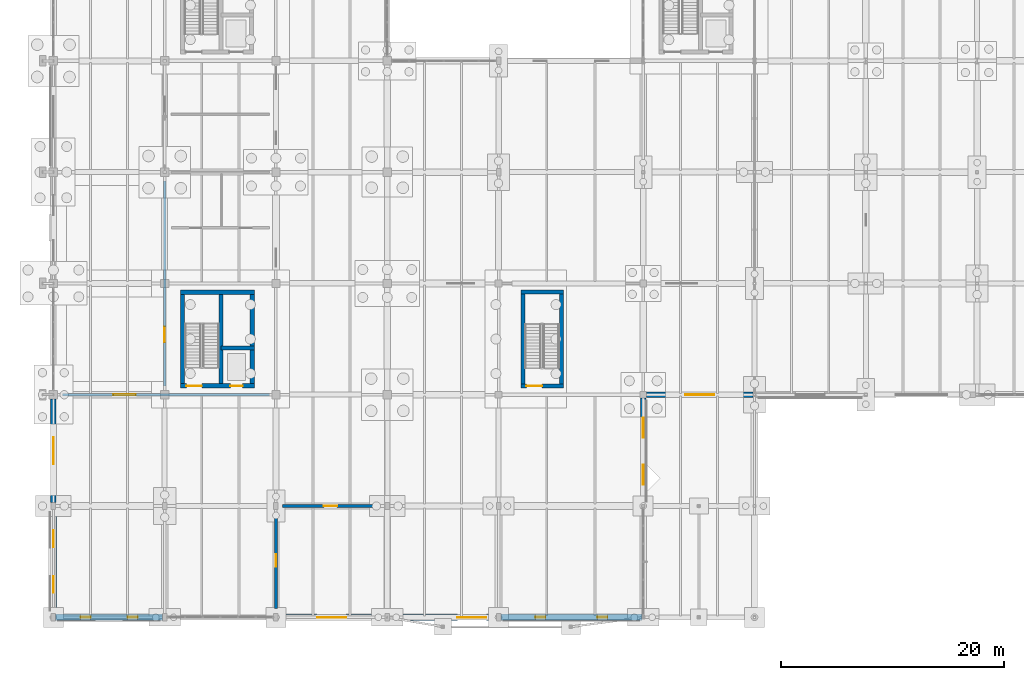
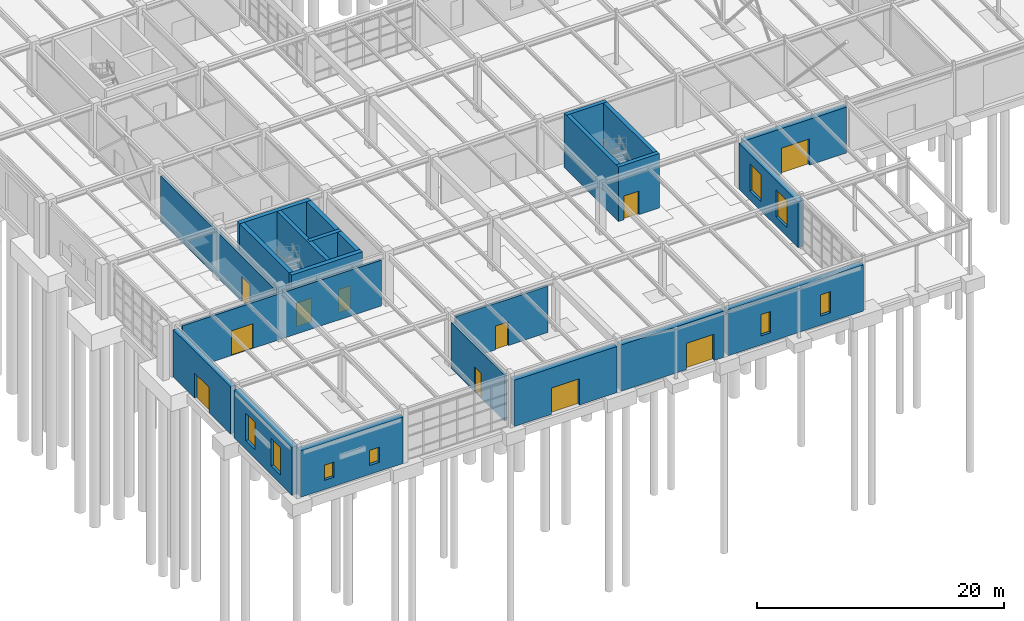
# One storey, part 120 of 145: 22 walls, 11 doors, 8 windows, 19 openings.
"""IFC4 building model written with IfcOpenShell, lengths in metres."""

from ifc_helpers import new_model, si_unit, direction, frame, frame_2d, origin, place, context, subcontext, project, spatial, rectangle, extrude, material, layer, layer_set, type_object, element, fill, save


model = new_model("IFC4")

# Units and contexts
model_context = context("Model", 3, precision=1e-05, world=origin(), true_north=direction((0.0, 1.0)))
body_context = subcontext(model_context, "Body", "Model", "MODEL_VIEW")
ifc_project = project(units=[si_unit("LENGTHUNIT", "METRE"), si_unit("AREAUNIT", "SQUARE_METRE"), si_unit("VOLUMEUNIT", "CUBIC_METRE"), si_unit("PLANEANGLEUNIT", "RADIAN"), si_unit("MASSUNIT", "GRAM", prefix="KILO"), si_unit("THERMODYNAMICTEMPERATUREUNIT", "KELVIN"), si_unit("POWERUNIT", "WATT")], contexts=[model_context])

# Site, building, storey
site_placement = place(None, origin())
site = spatial("IfcSite", under=ifc_project, at=site_placement, CompositionType="ELEMENT")
building_placement = place(site_placement, origin())
building = spatial("IfcBuilding", under=site, at=building_placement, Name="Korenveer Ferry Terminal", CompositionType="ELEMENT")
storey_placement = place(building_placement, origin())
storey = spatial("IfcBuildingStorey", under=building, at=storey_placement, Name="L00", CompositionType="ELEMENT", Elevation=0.0)

# Wall, opening, door
ifc_material_1 = material(Name="Belgian bluestone plinth masonry", Category="masonry")
ifc_layer_1 = layer(ifc_material_1, 0.5)
ifc_layer_set_1 = layer_set([ifc_layer_1], Name="Belgian bluestone plinth masonry")
wall_type_1 = type_object("IfcWallType", Name="ENV-WL-STN500", PredefinedType="SOLIDWALL", material=ifc_layer_set_1)
wall_1_placement = place(storey_placement, frame((53.300048828125, 20.0, 0.0), z_axis=(0.0, 0.0, 1.0), x_axis=(1.0, 0.0, 0.0)))
wall_1 = element("IfcWall", 1, at=wall_1_placement, inside=storey, type_object=wall_type_1, Name="Exterior facade wall EWL-L00-009", PredefinedType="SOLIDWALL", context=body_context, shape_type="SweptSolid", body=[
    extrude(rectangle(XDim=9.574951171875, YDim=0.5, at=frame_2d((4.78759765625, 0.0))), origin(), (0.0, 0.0, 1.0), 4.5400390625),
])
opening_1_placement = place(wall_1_placement, frame((3.488037109375, 0.0, 0.0)))
opening_1 = element("IfcOpeningElement", 2, at=opening_1_placement, cuts=wall_1, Name="Opening E03", PredefinedType="OPENING", context=body_context, shape_type="SweptSolid", body=[
    extrude(rectangle(XDim=2.60009765625, YDim=2.60009765625, at=frame_2d((1.300048828125, 1.300048828125))), frame((0.0, 0.260009765625, 0.0), z_axis=(0.0, -1.0, 0.0), x_axis=(1.0, 0.0, 0.0)), (0.0, 0.0, 1.0), 0.52001953125),
])
ifc_material_2 = material(Name="Thermally broken bronze glazed door", Category="aluminium")
door_type_1 = type_object("IfcDoorType", Name="ENV-DR-EXIT260", OperationType="DOUBLE_DOOR_SINGLE_SWING", PredefinedType="DOOR", material=ifc_material_2)
door_1_placement = place(opening_1_placement, origin())
door_1 = element("IfcDoor", 3, at=door_1_placement, inside=storey, type_object=door_type_1, Name="Main Arrivals Exit E03", OperationType="DOUBLE_DOOR_SINGLE_SWING", OverallHeight=2.60009765625, OverallWidth=2.60009765625, PredefinedType="DOOR", context=body_context, shape_type="SweptSolid", body=[
    extrude(rectangle(XDim=2.60009765625, YDim=2.60009765625, at=frame_2d((1.300048828125, 1.300048828125))), frame((0.0, 0.02490234375, 0.0), z_axis=(0.0, -1.0, 0.0), x_axis=(1.0, 0.0, 0.0)), (0.0, 0.0, 1.0), 0.050048828125),
])
fill(opening_1, door_1)

wall_2_placement = place(storey_placement, frame((0.0, 10.324951171875, 0.0), z_axis=(0.0, 0.0, 1.0), x_axis=(0.0, 1.0, 0.0)))
wall_2 = element("IfcWall", 4, at=wall_2_placement, inside=storey, type_object=wall_type_1, Name="Exterior facade wall EWL-L00-023", PredefinedType="SOLIDWALL", context=body_context, shape_type="SweptSolid", body=[
    extrude(rectangle(XDim=9.300048828125, YDim=0.5, at=frame_2d((4.64990234375, 0.0))), origin(), (0.0, 0.0, 1.0), 4.68994140625),
])
opening_2_placement = place(wall_2_placement, frame((3.449951171875, 0.0, 0.0)))
opening_2 = element("IfcOpeningElement", 5, at=opening_2_placement, cuts=wall_2, Name="Opening E09", PredefinedType="OPENING", context=body_context, shape_type="SweptSolid", body=[
    extrude(rectangle(XDim=2.39990234375, YDim=2.5, at=frame_2d((1.199951171875, 1.25))), frame((0.0, 0.260009765625, 0.0), z_axis=(0.0, -1.0, 0.0), x_axis=(1.0, 0.0, 0.0)), (0.0, 0.0, 1.0), 0.52001953125),
])
door_type_2 = type_object("IfcDoorType", Name="ENV-DR-EXIT240", OperationType="DOUBLE_DOOR_SINGLE_SWING", PredefinedType="DOOR", material=ifc_material_2)
door_2_placement = place(opening_2_placement, origin())
door_2 = element("IfcDoor", 6, at=door_2_placement, inside=storey, type_object=door_type_2, Name="West Quay Street Final Exit E09", OperationType="DOUBLE_DOOR_SINGLE_SWING", OverallHeight=2.5, OverallWidth=2.39990234375, PredefinedType="DOOR", context=body_context, shape_type="SweptSolid", body=[
    extrude(rectangle(XDim=2.39990234375, YDim=2.5, at=frame_2d((1.199951171875, 1.25))), frame((0.0, 0.02490234375, 0.0), z_axis=(0.0, -1.0, 0.0), x_axis=(1.0, 0.0, 0.0)), (0.0, 0.0, 1.0), 0.050048828125),
])
fill(opening_2, door_2)

# Wall, openings, windows
wall_3_placement = place(storey_placement, frame((53.0, 19.699951171875, 0.0), z_axis=(0.0, 0.0, 1.0), x_axis=(0.0, -1.0, 0.0)))
wall_3 = element("IfcWall", 7, at=wall_3_placement, inside=storey, type_object=wall_type_1, Name="Exterior facade wall EWL-L00-028", PredefinedType="SOLIDWALL", context=body_context, shape_type="SweptSolid", body=[
    extrude(rectangle(XDim=9.574951171875, YDim=0.5, at=frame_2d((4.78759765625, 0.0))), origin(), (0.0, 0.0, 1.0), 4.530029296875),
])
opening_3_placement = place(wall_3_placement, frame((1.781005859375, 0.0, 0.89990234375)))
opening_3 = element("IfcOpeningElement", 8, at=opening_3_placement, cuts=wall_3, Name="Opening WN-21", PredefinedType="OPENING", context=body_context, shape_type="SweptSolid", body=[
    extrude(rectangle(XDim=1.800048828125, YDim=2.699951171875, at=frame_2d((0.89990234375, 1.35009765625))), frame((0.0, 0.260009765625, 0.0), z_axis=(0.0, -1.0, 0.0), x_axis=(1.0, 0.0, 0.0)), (0.0, 0.0, 1.0), 0.52001953125),
])
opening_4_placement = place(wall_3_placement, frame((5.993896484375, 0.0, 0.89990234375)))
opening_4 = element("IfcOpeningElement", 9, at=opening_4_placement, cuts=wall_3, Name="Opening WN-21", PredefinedType="OPENING", context=body_context, shape_type="SweptSolid", body=[
    extrude(rectangle(XDim=1.800048828125, YDim=2.699951171875, at=frame_2d((0.89990234375, 1.35009765625))), frame((0.0, 0.260009765625, 0.0), z_axis=(0.0, -1.0, 0.0), x_axis=(1.0, 0.0, 0.0)), (0.0, 0.0, 1.0), 0.52001953125),
])
ifc_material_3 = material(Name="Low-iron triple glazing in bronze frame", Category="glass")
window_type_1 = type_object("IfcWindowType", Name="ENV-WN-21", PartitioningType="SINGLE_PANEL", PredefinedType="WINDOW", material=ifc_material_3)
window_1_placement = place(opening_3_placement, origin())
window_1 = element("IfcWindow", 10, at=window_1_placement, inside=storey, type_object=window_type_1, Name="Lancet facade window 21", OverallHeight=2.699951171875, OverallWidth=1.800048828125, PartitioningType="SINGLE_PANEL", PredefinedType="WINDOW", context=body_context, shape_type="SweptSolid", body=[
    extrude(rectangle(XDim=1.800048828125, YDim=2.699951171875, at=frame_2d((0.89990234375, 1.35009765625))), frame((0.0, 0.030029296875, 0.0), z_axis=(0.0, -1.0, 0.0), x_axis=(1.0, 0.0, 0.0)), (0.0, 0.0, 1.0), 0.06005859375),
])
fill(opening_3, window_1)
window_2_placement = place(opening_4_placement, origin())
window_2 = element("IfcWindow", 11, at=window_2_placement, inside=storey, type_object=window_type_1, Name="Lancet facade window 22", OverallHeight=2.699951171875, OverallWidth=1.800048828125, PartitioningType="SINGLE_PANEL", PredefinedType="WINDOW", context=body_context, shape_type="SweptSolid", body=[
    extrude(rectangle(XDim=1.800048828125, YDim=2.699951171875, at=frame_2d((0.89990234375, 1.35009765625))), frame((0.0, 0.030029296875, 0.0), z_axis=(0.0, -1.0, 0.0), x_axis=(1.0, 0.0, 0.0)), (0.0, 0.0, 1.0), 0.06005859375),
])
fill(opening_4, window_2)

ifc_material_4 = material(Name="Belgian bluestone flood-plinth masonry", Category="masonry")
ifc_layer_2 = layer(ifc_material_4, 0.56005859375)
ifc_layer_set_2 = layer_set([ifc_layer_2], Name="Belgian bluestone flood-plinth masonry")
wall_type_2 = type_object("IfcWallType", Name="ENV-WL-STN560", PredefinedType="SOLIDWALL", material=ifc_layer_set_2)
wall_4_placement = place(storey_placement, frame((0.199951171875, 0.0, 0.0), z_axis=(0.0, 0.0, 1.0), x_axis=(1.0, 0.0, 0.0)))
wall_4 = element("IfcWall", 12, at=wall_4_placement, inside=storey, type_object=wall_type_2, Name="Exterior facade wall EWL-L00-001", PredefinedType="SOLIDWALL", context=body_context, shape_type="SweptSolid", body=[
    extrude(rectangle(XDim=9.60009765625, YDim=0.56005859375, at=frame_2d((4.800048828125, 0.0))), origin(), (0.0, 0.0, 1.0), 4.60009765625),
])
opening_5_placement = place(wall_4_placement, frame((2.238037109375, 0.0, 0.89990234375)))
opening_5 = element("IfcOpeningElement", 13, at=opening_5_placement, cuts=wall_4, Name="Opening WN-01", PredefinedType="OPENING", context=body_context, shape_type="SweptSolid", body=[
    extrude(rectangle(XDim=0.89990234375, YDim=1.5, at=frame_2d((0.449951171875, 0.75))), frame((0.0, 0.2900390625, 0.0), z_axis=(0.0, -1.0, 0.0), x_axis=(1.0, 0.0, 0.0)), (0.0, 0.0, 1.0), 0.580078125),
])
opening_6_placement = place(wall_4_placement, frame((6.4619140625, 0.0, 0.89990234375)))
opening_6 = element("IfcOpeningElement", 14, at=opening_6_placement, cuts=wall_4, Name="Opening WN-01", PredefinedType="OPENING", context=body_context, shape_type="SweptSolid", body=[
    extrude(rectangle(XDim=0.89990234375, YDim=1.5, at=frame_2d((0.449951171875, 0.75))), frame((0.0, 0.2900390625, 0.0), z_axis=(0.0, -1.0, 0.0), x_axis=(1.0, 0.0, 0.0)), (0.0, 0.0, 1.0), 0.580078125),
])
window_type_2 = type_object("IfcWindowType", Name="ENV-WN-01", PartitioningType="SINGLE_PANEL", PredefinedType="WINDOW", material=ifc_material_3)
window_3_placement = place(opening_5_placement, origin())
window_3 = element("IfcWindow", 15, at=window_3_placement, inside=storey, type_object=window_type_2, Name="Lancet facade window 1", OverallHeight=1.5, OverallWidth=0.89990234375, PartitioningType="SINGLE_PANEL", PredefinedType="WINDOW", context=body_context, shape_type="SweptSolid", body=[
    extrude(rectangle(XDim=0.89990234375, YDim=1.5, at=frame_2d((0.449951171875, 0.75))), frame((0.0, 0.030029296875, 0.0), z_axis=(0.0, -1.0, 0.0), x_axis=(1.0, 0.0, 0.0)), (0.0, 0.0, 1.0), 0.06005859375),
])
fill(opening_5, window_3)
window_4_placement = place(opening_6_placement, origin())
window_4 = element("IfcWindow", 16, at=window_4_placement, inside=storey, type_object=window_type_2, Name="Lancet facade window 2", OverallHeight=1.5, OverallWidth=0.89990234375, PartitioningType="SINGLE_PANEL", PredefinedType="WINDOW", context=body_context, shape_type="SweptSolid", body=[
    extrude(rectangle(XDim=0.89990234375, YDim=1.5, at=frame_2d((0.449951171875, 0.75))), frame((0.0, 0.030029296875, 0.0), z_axis=(0.0, -1.0, 0.0), x_axis=(1.0, 0.0, 0.0)), (0.0, 0.0, 1.0), 0.06005859375),
])
fill(opening_6, window_4)

# Wall, opening, door
wall_5_placement = place(storey_placement, frame((20.199951171875, 0.0, 0.0), z_axis=(0.0, 0.0, 1.0), x_axis=(1.0, 0.0, 0.0)))
wall_5 = element("IfcWall", 17, at=wall_5_placement, inside=storey, type_object=wall_type_2, Name="Exterior facade wall EWL-L00-002", PredefinedType="SOLIDWALL", context=body_context, shape_type="SweptSolid", body=[
    extrude(rectangle(XDim=9.60009765625, YDim=0.56005859375, at=frame_2d((4.800048828125, 0.0))), origin(), (0.0, 0.0, 1.0), 4.580078125),
])
opening_7_placement = place(wall_5_placement, frame((3.5, 0.0, 0.0)))
opening_7 = element("IfcOpeningElement", 18, at=opening_7_placement, cuts=wall_5, Name="Opening E01", PredefinedType="OPENING", context=body_context, shape_type="SweptSolid", body=[
    extrude(rectangle(XDim=2.60009765625, YDim=2.60009765625, at=frame_2d((1.300048828125, 1.300048828125))), frame((0.0, 0.2900390625, 0.0), z_axis=(0.0, -1.0, 0.0), x_axis=(1.0, 0.0, 0.0)), (0.0, 0.0, 1.0), 0.580078125),
])
door_3_placement = place(opening_7_placement, origin())
door_3 = element("IfcDoor", 19, at=door_3_placement, inside=storey, type_object=door_type_1, Name="Main Entrance E01", OperationType="DOUBLE_DOOR_SINGLE_SWING", OverallHeight=2.60009765625, OverallWidth=2.60009765625, PredefinedType="DOOR", context=body_context, shape_type="SweptSolid", body=[
    extrude(rectangle(XDim=2.60009765625, YDim=2.60009765625, at=frame_2d((1.300048828125, 1.300048828125))), frame((0.0, 0.02490234375, 0.0), z_axis=(0.0, -1.0, 0.0), x_axis=(1.0, 0.0, 0.0)), (0.0, 0.0, 1.0), 0.050048828125),
])
fill(opening_7, door_3)

wall_6_placement = place(storey_placement, frame((30.199951171875, 0.0, 0.0), z_axis=(0.0, 0.0, 1.0), x_axis=(1.0, 0.0, 0.0)))
wall_6 = element("IfcWall", 20, at=wall_6_placement, inside=storey, type_object=wall_type_2, Name="Exterior facade wall EWL-L00-003", PredefinedType="SOLIDWALL", context=body_context, shape_type="SweptSolid", body=[
    extrude(rectangle(XDim=9.60009765625, YDim=0.56005859375, at=frame_2d((4.800048828125, 0.0))), origin(), (0.0, 0.0, 1.0), 4.580078125),
])
opening_8_placement = place(wall_6_placement, frame((6.10009765625, 0.0, 0.0)))
opening_8 = element("IfcOpeningElement", 21, at=opening_8_placement, cuts=wall_6, Name="Opening E02", PredefinedType="OPENING", context=body_context, shape_type="SweptSolid", body=[
    extrude(rectangle(XDim=2.60009765625, YDim=2.60009765625, at=frame_2d((1.300048828125, 1.300048828125))), frame((0.0, 0.2900390625, 0.0), z_axis=(0.0, -1.0, 0.0), x_axis=(1.0, 0.0, 0.0)), (0.0, 0.0, 1.0), 0.580078125),
])
door_4_placement = place(opening_8_placement, origin())
door_4 = element("IfcDoor", 22, at=door_4_placement, inside=storey, type_object=door_type_1, Name="Forecourt Cycle Hub Entrance E02", OperationType="DOUBLE_DOOR_SINGLE_SWING", OverallHeight=2.60009765625, OverallWidth=2.60009765625, PredefinedType="DOOR", context=body_context, shape_type="SweptSolid", body=[
    extrude(rectangle(XDim=2.60009765625, YDim=2.60009765625, at=frame_2d((1.300048828125, 1.300048828125))), frame((0.0, 0.02490234375, 0.0), z_axis=(0.0, -1.0, 0.0), x_axis=(1.0, 0.0, 0.0)), (0.0, 0.0, 1.0), 0.050048828125),
])
fill(opening_8, door_4)

# Wall, openings, windows
wall_7_placement = place(storey_placement, frame((40.199951171875, 0.0, 0.0), z_axis=(0.0, 0.0, 1.0), x_axis=(1.0, 0.0, 0.0)))
wall_7 = element("IfcWall", 23, at=wall_7_placement, inside=storey, type_object=wall_type_2, Name="Exterior facade wall EWL-L00-004", PredefinedType="SOLIDWALL", context=body_context, shape_type="SweptSolid", body=[
    extrude(rectangle(XDim=12.675048828125, YDim=0.56005859375, at=frame_2d((6.33740234375, 0.0))), origin(), (0.0, 0.0, 1.0), 4.580078125),
])
opening_9_placement = place(wall_7_placement, frame((3.09912109375, 0.0, 0.89990234375)))
opening_9 = element("IfcOpeningElement", 24, at=opening_9_placement, cuts=wall_7, Name="Opening WN-03", PredefinedType="OPENING", context=body_context, shape_type="SweptSolid", body=[
    extrude(rectangle(XDim=0.89990234375, YDim=2.10009765625, at=frame_2d((0.449951171875, 1.050048828125))), frame((0.0, 0.2900390625, 0.0), z_axis=(0.0, -1.0, 0.0), x_axis=(1.0, 0.0, 0.0)), (0.0, 0.0, 1.0), 0.580078125),
])
opening_10_placement = place(wall_7_placement, frame((8.676025390625, 0.0, 0.89990234375)))
opening_10 = element("IfcOpeningElement", 25, at=opening_10_placement, cuts=wall_7, Name="Opening WN-03", PredefinedType="OPENING", context=body_context, shape_type="SweptSolid", body=[
    extrude(rectangle(XDim=0.89990234375, YDim=2.10009765625, at=frame_2d((0.449951171875, 1.050048828125))), frame((0.0, 0.2900390625, 0.0), z_axis=(0.0, -1.0, 0.0), x_axis=(1.0, 0.0, 0.0)), (0.0, 0.0, 1.0), 0.580078125),
])
window_type_3 = type_object("IfcWindowType", Name="ENV-WN-03", PartitioningType="SINGLE_PANEL", PredefinedType="WINDOW", material=ifc_material_3)
window_5_placement = place(opening_9_placement, origin())
window_5 = element("IfcWindow", 26, at=window_5_placement, inside=storey, type_object=window_type_3, Name="Lancet facade window 3", OverallHeight=2.10009765625, OverallWidth=0.89990234375, PartitioningType="SINGLE_PANEL", PredefinedType="WINDOW", context=body_context, shape_type="SweptSolid", body=[
    extrude(rectangle(XDim=0.89990234375, YDim=2.10009765625, at=frame_2d((0.449951171875, 1.050048828125))), frame((0.0, 0.030029296875, 0.0), z_axis=(0.0, -1.0, 0.0), x_axis=(1.0, 0.0, 0.0)), (0.0, 0.0, 1.0), 0.06005859375),
])
fill(opening_9, window_5)
window_6_placement = place(opening_10_placement, origin())
window_6 = element("IfcWindow", 27, at=window_6_placement, inside=storey, type_object=window_type_3, Name="Lancet facade window 4", OverallHeight=2.10009765625, OverallWidth=0.89990234375, PartitioningType="SINGLE_PANEL", PredefinedType="WINDOW", context=body_context, shape_type="SweptSolid", body=[
    extrude(rectangle(XDim=0.89990234375, YDim=2.10009765625, at=frame_2d((0.449951171875, 1.050048828125))), frame((0.0, 0.030029296875, 0.0), z_axis=(0.0, -1.0, 0.0), x_axis=(1.0, 0.0, 0.0)), (0.0, 0.0, 1.0), 0.06005859375),
])
fill(opening_10, window_6)

wall_8_placement = place(storey_placement, frame((0.0, 0.324951171875, 0.0), z_axis=(0.0, 0.0, 1.0), x_axis=(0.0, 1.0, 0.0)))
wall_8 = element("IfcWall", 28, at=wall_8_placement, inside=storey, type_object=wall_type_2, Name="Exterior facade wall EWL-L00-022", PredefinedType="SOLIDWALL", context=body_context, shape_type="SweptSolid", body=[
    extrude(rectangle(XDim=9.35009765625, YDim=0.56005859375, at=frame_2d((4.675048828125, 0.0))), origin(), (0.0, 0.0, 1.0), 4.75),
])
opening_11_placement = place(wall_8_placement, frame((1.867919921875, 0.0, 0.89990234375)))
opening_11 = element("IfcOpeningElement", 29, at=opening_11_placement, cuts=wall_8, Name="Opening WN-15", PredefinedType="OPENING", context=body_context, shape_type="SweptSolid", body=[
    extrude(rectangle(XDim=1.5, YDim=2.699951171875, at=frame_2d((0.75, 1.35009765625))), frame((0.0, 0.2900390625, 0.0), z_axis=(0.0, -1.0, 0.0), x_axis=(1.0, 0.0, 0.0)), (0.0, 0.0, 1.0), 0.580078125),
])
opening_12_placement = place(wall_8_placement, frame((5.98193359375, 0.0, 0.89990234375)))
opening_12 = element("IfcOpeningElement", 30, at=opening_12_placement, cuts=wall_8, Name="Opening WN-15", PredefinedType="OPENING", context=body_context, shape_type="SweptSolid", body=[
    extrude(rectangle(XDim=1.5, YDim=2.699951171875, at=frame_2d((0.75, 1.35009765625))), frame((0.0, 0.2900390625, 0.0), z_axis=(0.0, -1.0, 0.0), x_axis=(1.0, 0.0, 0.0)), (0.0, 0.0, 1.0), 0.580078125),
])
window_type_4 = type_object("IfcWindowType", Name="ENV-WN-15", PartitioningType="SINGLE_PANEL", PredefinedType="WINDOW", material=ifc_material_3)
window_7_placement = place(opening_11_placement, origin())
window_7 = element("IfcWindow", 31, at=window_7_placement, inside=storey, type_object=window_type_4, Name="Lancet facade window 15", OverallHeight=2.699951171875, OverallWidth=1.5, PartitioningType="SINGLE_PANEL", PredefinedType="WINDOW", context=body_context, shape_type="SweptSolid", body=[
    extrude(rectangle(XDim=1.5, YDim=2.699951171875, at=frame_2d((0.75, 1.35009765625))), frame((0.0, 0.030029296875, 0.0), z_axis=(0.0, -1.0, 0.0), x_axis=(1.0, 0.0, 0.0)), (0.0, 0.0, 1.0), 0.06005859375),
])
fill(opening_11, window_7)
window_8_placement = place(opening_12_placement, origin())
window_8 = element("IfcWindow", 32, at=window_8_placement, inside=storey, type_object=window_type_4, Name="Lancet facade window 16", OverallHeight=2.699951171875, OverallWidth=1.5, PartitioningType="SINGLE_PANEL", PredefinedType="WINDOW", context=body_context, shape_type="SweptSolid", body=[
    extrude(rectangle(XDim=1.5, YDim=2.699951171875, at=frame_2d((0.75, 1.35009765625))), frame((0.0, 0.030029296875, 0.0), z_axis=(0.0, -1.0, 0.0), x_axis=(1.0, 0.0, 0.0)), (0.0, 0.0, 1.0), 0.06005859375),
])
fill(opening_12, window_8)

# Wall, opening, door
ifc_material_5 = material(Name="Calcium silicate fire compartment masonry", Category="masonry")
ifc_layer_3 = layer(ifc_material_5, 0.239990234375)
ifc_layer_set_3 = layer_set([ifc_layer_3], Name="Calcium silicate fire compartment masonry")
wall_type_3 = type_object("IfcWallType", Name="INT-WL-COMP240", PredefinedType="PARTITIONING", material=ifc_layer_set_3)
wall_9_placement = place(storey_placement, frame((20.0, 0.800048828125, 0.0), z_axis=(0.0, 0.0, 1.0), x_axis=(0.0, 1.0, 0.0)))
wall_9 = element("IfcWall", 33, at=wall_9_placement, inside=storey, type_object=wall_type_3, Name="Interior partition PWL-L00-001", PredefinedType="PARTITIONING", context=body_context, shape_type="SweptSolid", body=[
    extrude(rectangle(XDim=8.599853515625, YDim=0.239990234375, at=frame_2d((4.2998046875, 0.0))), origin(), (0.0, 0.0, 1.0), 4.550048828125),
])
opening_13_placement = place(wall_9_placement, frame((3.75, 0.0, 0.0)))
opening_13 = element("IfcOpeningElement", 34, at=opening_13_placement, cuts=wall_9, Name="Opening ID-001", PredefinedType="OPENING", context=body_context, shape_type="SweptSolid", body=[
    extrude(rectangle(XDim=1.10009765625, YDim=2.449951171875, at=frame_2d((0.550048828125, 1.22509765625))), frame((0.0, 0.1298828125, 0.0), z_axis=(0.0, -1.0, 0.0), x_axis=(1.0, 0.0, 0.0)), (0.0, 0.0, 1.0), 0.260009765625),
])
ifc_material_6 = material(Name="Solid hardwood and steel acoustic door", Category="steel")
door_type_3 = type_object("IfcDoorType", Name="INT-DR-RM110B", OperationType="NOTDEFINED", PredefinedType="DOOR", material=ifc_material_6)
door_5_placement = place(opening_13_placement, origin())
door_5 = element("IfcDoor", 35, at=door_5_placement, inside=storey, type_object=door_type_3, Name="Fire Command Security Door", OperationType="SINGLE_SWING_RIGHT", OverallHeight=2.449951171875, OverallWidth=1.10009765625, PredefinedType="DOOR", context=body_context, shape_type="SweptSolid", body=[
    extrude(rectangle(XDim=1.10009765625, YDim=2.449951171875, at=frame_2d((0.550048828125, 1.22509765625))), frame((0.0, 0.02490234375, 0.0), z_axis=(0.0, -1.0, 0.0), x_axis=(1.0, 0.0, 0.0)), (0.0, 0.0, 1.0), 0.050048828125),
])
fill(opening_13, door_5)

wall_10_placement = place(storey_placement, frame((20.60009765625, 10.0, 0.0), z_axis=(0.0, 0.0, 1.0), x_axis=(1.0, 0.0, 0.0)))
wall_10 = element("IfcWall", 36, at=wall_10_placement, inside=storey, type_object=wall_type_3, Name="Interior partition PWL-L00-002", PredefinedType="PARTITIONING", context=body_context, shape_type="SweptSolid", body=[
    extrude(rectangle(XDim=8.599853515625, YDim=0.239990234375, at=frame_2d((4.2998046875, 0.0))), origin(), (0.0, 0.0, 1.0), 4.590087890625),
])
opening_14_placement = place(wall_10_placement, frame((3.699951171875, 0.0, 0.0)))
opening_14 = element("IfcOpeningElement", 37, at=opening_14_placement, cuts=wall_10, Name="Opening ID-002", PredefinedType="OPENING", context=body_context, shape_type="SweptSolid", body=[
    extrude(rectangle(XDim=1.199951171875, YDim=2.35009765625, at=frame_2d((0.60009765625, 1.175048828125))), frame((0.0, 0.1298828125, 0.0), z_axis=(0.0, -1.0, 0.0), x_axis=(1.0, 0.0, 0.0)), (0.0, 0.0, 1.0), 0.260009765625),
])
door_type_4 = type_object("IfcDoorType", Name="INT-DR-RM120A", OperationType="NOTDEFINED", PredefinedType="DOOR", material=ifc_material_6)
door_6_placement = place(opening_14_placement, origin())
door_6 = element("IfcDoor", 38, at=door_6_placement, inside=storey, type_object=door_type_4, Name="Fire Command Corridor Door", OperationType="SINGLE_SWING_LEFT", OverallHeight=2.35009765625, OverallWidth=1.199951171875, PredefinedType="DOOR", context=body_context, shape_type="SweptSolid", body=[
    extrude(rectangle(XDim=1.199951171875, YDim=2.35009765625, at=frame_2d((0.60009765625, 1.175048828125))), frame((0.0, 0.02490234375, 0.0), z_axis=(0.0, -1.0, 0.0), x_axis=(1.0, 0.0, 0.0)), (0.0, 0.0, 1.0), 0.050048828125),
])
fill(opening_14, door_6)

wall_11_placement = place(storey_placement, frame((0.800048828125, 20.0, 0.0), z_axis=(0.0, 0.0, 1.0), x_axis=(1.0, 0.0, 0.0)))
wall_11 = element("IfcWall", 39, at=wall_11_placement, inside=storey, type_object=wall_type_3, Name="Interior partition PWL-L00-003", PredefinedType="PARTITIONING", context=body_context, shape_type="SweptSolid", body=[
    extrude(rectangle(XDim=18.599853515625, YDim=0.239990234375, at=frame_2d((9.2998046875, 0.0))), origin(), (0.0, 0.0, 1.0), 4.5400390625),
])
opening_15_placement = place(wall_11_placement, frame((4.580078125, 0.0, 0.0)))
opening_15 = element("IfcOpeningElement", 40, at=opening_15_placement, cuts=wall_11, Name="Opening ID-003", PredefinedType="OPENING", context=body_context, shape_type="SweptSolid", body=[
    extrude(rectangle(XDim=2.0, YDim=2.449951171875, at=frame_2d((1.0, 1.22509765625))), frame((0.0, 0.1298828125, 0.0), z_axis=(0.0, -1.0, 0.0), x_axis=(1.0, 0.0, 0.0)), (0.0, 0.0, 1.0), 0.260009765625),
])
door_type_5 = type_object("IfcDoorType", Name="INT-DR-CON200", OperationType="DOUBLE_DOOR_SINGLE_SWING", PredefinedType="DOOR", material=ifc_material_6)
door_7_placement = place(opening_15_placement, origin())
door_7 = element("IfcDoor", 41, at=door_7_placement, inside=storey, type_object=door_type_5, Name="Security Suite Corridor Door", OperationType="DOUBLE_DOOR_SINGLE_SWING", OverallHeight=2.449951171875, OverallWidth=2.0, PredefinedType="DOOR", context=body_context, shape_type="SweptSolid", body=[
    extrude(rectangle(XDim=2.0, YDim=2.449951171875, at=frame_2d((1.0, 1.22509765625))), frame((0.0, 0.02490234375, 0.0), z_axis=(0.0, -1.0, 0.0), x_axis=(1.0, 0.0, 0.0)), (0.0, 0.0, 1.0), 0.050048828125),
])
fill(opening_15, door_7)

wall_12_placement = place(storey_placement, frame((10.0, 20.800048828125, 0.0), z_axis=(0.0, 0.0, 1.0), x_axis=(0.0, 1.0, 0.0)))
wall_12 = element("IfcWall", 42, at=wall_12_placement, inside=storey, type_object=wall_type_3, Name="Interior partition PWL-L00-004", PredefinedType="PARTITIONING", context=body_context, shape_type="SweptSolid", body=[
    extrude(rectangle(XDim=18.39990234375, YDim=0.239990234375, at=frame_2d((9.199951171875, 0.0))), origin(), (0.0, 0.0, 1.0), 4.489990234375),
])
opening_16_placement = place(wall_12_placement, frame((3.89990234375, 0.0, 0.0)))
opening_16 = element("IfcOpeningElement", 43, at=opening_16_placement, cuts=wall_12, Name="Opening ID-004", PredefinedType="OPENING", context=body_context, shape_type="SweptSolid", body=[
    extrude(rectangle(XDim=1.39990234375, YDim=2.5, at=frame_2d((0.699951171875, 1.25))), frame((0.0, 0.1298828125, 0.0), z_axis=(0.0, -1.0, 0.0), x_axis=(1.0, 0.0, 0.0)), (0.0, 0.0, 1.0), 0.260009765625),
])
door_type_6 = type_object("IfcDoorType", Name="INT-DR-PLT140", OperationType="DOUBLE_DOOR_SINGLE_SWING", PredefinedType="DOOR", material=ifc_material_6)
door_8_placement = place(opening_16_placement, origin())
door_8 = element("IfcDoor", 44, at=door_8_placement, inside=storey, type_object=door_type_6, Name="Electrical Substation Door", OperationType="DOUBLE_DOOR_SINGLE_SWING", OverallHeight=2.5, OverallWidth=1.39990234375, PredefinedType="DOOR", context=body_context, shape_type="SweptSolid", body=[
    extrude(rectangle(XDim=1.39990234375, YDim=2.5, at=frame_2d((0.699951171875, 1.25))), frame((0.0, 0.02490234375, 0.0), z_axis=(0.0, -1.0, 0.0), x_axis=(1.0, 0.0, 0.0)), (0.0, 0.0, 1.0), 0.050048828125),
])
fill(opening_16, door_8)

# Walls
ifc_material_7 = material(Name="Concrete C45/55", Category="concrete")
ifc_layer_4 = layer(ifc_material_7, 0.360107421875)
ifc_layer_set_4 = layer_set([ifc_layer_4], Name="Concrete C45/55")
wall_type_4 = type_object("IfcWallType", Name="INT-WL-CORE360", PredefinedType="SHEAR", material=ifc_layer_set_4)
wall_13_placement = place(storey_placement, frame((15.080078125, 20.60009765625, 0.0), z_axis=(0.0, 0.0, 1.0), x_axis=(0.0, 1.0, 0.0)))
element("IfcWall", 45, at=wall_13_placement, inside=storey, type_object=wall_type_4, Name="West Firefighting Core K1 shaft divider wall L00", PredefinedType="SHEAR", context=body_context, shape_type="SweptSolid", body=[
    extrude(rectangle(XDim=8.7998046875, YDim=0.360107421875, at=frame_2d((4.39990234375, 0.0))), origin(), (0.0, 0.0, 1.0), 5.39990234375),
])
wall_14_placement = place(storey_placement, frame((15.080078125, 24.179931640625, 0.0), z_axis=(0.0, 0.0, 1.0), x_axis=(1.0, 0.0, 0.0)))
element("IfcWall", 46, at=wall_14_placement, inside=storey, type_object=wall_type_4, Name="West Firefighting Core K1 lift shaft wall L00", PredefinedType="SHEAR", context=body_context, shape_type="SweptSolid", body=[
    extrude(rectangle(XDim=2.97998046875, YDim=0.360107421875, at=frame_2d((1.489990234375, 0.0))), origin(), (0.0, 0.0, 1.0), 5.39990234375),
])

# Wall, opening, door
wall_15_placement = place(storey_placement, frame((42.0, 20.780029296875, 0.0), z_axis=(0.0, 0.0, 1.0), x_axis=(1.0, 0.0, 0.0)))
wall_15 = element("IfcWall", 47, at=wall_15_placement, inside=storey, type_object=wall_type_4, Name="Arrivals West Stair Core K9 south shear wall L00", PredefinedType="SHEAR", context=body_context, shape_type="SweptSolid", body=[
    extrude(rectangle(XDim=3.820068359375, YDim=0.360107421875, at=frame_2d((1.91015625, 0.0))), origin(), (0.0, 0.0, 1.0), 5.39990234375),
])
opening_17_placement = place(wall_15_placement, frame((0.510009765625, 0.0, 0.0)))
opening_17 = element("IfcOpeningElement", 48, at=opening_17_placement, cuts=wall_15, Name="Opening SD-29", PredefinedType="OPENING", context=body_context, shape_type="SweptSolid", body=[
    extrude(rectangle(XDim=1.39990234375, YDim=2.35009765625, at=frame_2d((0.699951171875, 1.175048828125))), frame((0.0, 0.18994140625, 0.0), z_axis=(0.0, -1.0, 0.0), x_axis=(1.0, 0.0, 0.0)), (0.0, 0.0, 1.0), 0.380126953125),
])
door_type_7 = type_object("IfcDoorType", Name="INT-DR-ST140", OperationType="NOTDEFINED", PredefinedType="DOOR", material=ifc_material_6)
door_9_placement = place(opening_17_placement, origin())
door_9 = element("IfcDoor", 49, at=door_9_placement, inside=storey, type_object=door_type_7, Name="ST09 Stair Door L00", OperationType="SINGLE_SWING_LEFT", OverallHeight=2.35009765625, OverallWidth=1.39990234375, PredefinedType="DOOR", context=body_context, shape_type="SweptSolid", body=[
    extrude(rectangle(XDim=1.39990234375, YDim=2.35009765625, at=frame_2d((0.699951171875, 1.175048828125))), frame((0.0, 0.02490234375, 0.0), z_axis=(0.0, -1.0, 0.0), x_axis=(1.0, 0.0, 0.0)), (0.0, 0.0, 1.0), 0.050048828125),
])
fill(opening_17, door_9)

# Walls
wall_16_placement = place(storey_placement, frame((42.0, 29.219970703125, 0.0), z_axis=(0.0, 0.0, 1.0), x_axis=(1.0, 0.0, 0.0)))
element("IfcWall", 50, at=wall_16_placement, inside=storey, type_object=wall_type_4, Name="Arrivals West Stair Core K9 north shear wall L00", PredefinedType="SHEAR", context=body_context, shape_type="SweptSolid", body=[
    extrude(rectangle(XDim=3.820068359375, YDim=0.360107421875, at=frame_2d((1.91015625, 0.0))), origin(), (0.0, 0.0, 1.0), 5.39990234375),
])
for number, where, z_axis, x_axis, name in (
    (51, (42.179931640625, 20.60009765625, 0.0), (0.0, 0.0, 1.0), (0.0, 1.0, 0.0), "Arrivals West Stair Core K9 west shear wall L00"),
    (52, (45.639892578125, 20.60009765625, 0.0), (0.0, 0.0, 1.0), (0.0, 1.0, 0.0), "Arrivals West Stair Core K9 east shear wall L00"),
):
    element("IfcWall", number, at=place(storey_placement, frame(where, z_axis=z_axis, x_axis=x_axis)), inside=storey, type_object=wall_type_4, Name=name, PredefinedType="SHEAR", context=body_context, shape_type="SweptSolid", body=[
        extrude(rectangle(XDim=8.7998046875, YDim=0.360107421875, at=frame_2d((4.39990234375, 0.0))), origin(), (0.0, 0.0, 1.0), 5.39990234375),
    ])

# Wall, openings, doors
ifc_layer_5 = layer(ifc_material_7, 0.39990234375)
ifc_layer_set_5 = layer_set([ifc_layer_5], Name="Concrete C45/55")
wall_type_5 = type_object("IfcWallType", Name="INT-WL-CORE400", PredefinedType="SHEAR", material=ifc_layer_set_5)
wall_17_placement = place(storey_placement, frame((11.39990234375, 20.800048828125, 0.0), z_axis=(0.0, 0.0, 1.0), x_axis=(1.0, 0.0, 0.0)))
wall_17 = element("IfcWall", 53, at=wall_17_placement, inside=storey, type_object=wall_type_5, Name="West Firefighting Core K1 south shear wall L00", PredefinedType="SHEAR", context=body_context, shape_type="SweptSolid", body=[
    extrude(rectangle(XDim=6.66015625, YDim=0.39990234375, at=frame_2d((3.330078125, 0.0))), origin(), (0.0, 0.0, 1.0), 5.39990234375),
])
opening_18_placement = place(wall_17_placement, frame((0.550048828125, 0.0, 0.0)))
opening_18 = element("IfcOpeningElement", 54, at=opening_18_placement, cuts=wall_17, Name="Opening SD-01", PredefinedType="OPENING", context=body_context, shape_type="SweptSolid", body=[
    extrude(rectangle(XDim=1.39990234375, YDim=2.35009765625, at=frame_2d((0.699951171875, 1.175048828125))), frame((0.0, 0.2099609375, 0.0), z_axis=(0.0, -1.0, 0.0), x_axis=(1.0, 0.0, 0.0)), (0.0, 0.0, 1.0), 0.419921875),
])
opening_19_placement = place(wall_17_placement, frame((4.510009765625, 0.0, 0.0)))
opening_19 = element("IfcOpeningElement", 55, at=opening_19_placement, cuts=wall_17, Name="Opening LD-01", PredefinedType="OPENING", context=body_context, shape_type="SweptSolid", body=[
    extrude(rectangle(XDim=1.10009765625, YDim=2.300048828125, at=frame_2d((0.550048828125, 1.14990234375))), frame((0.0, 0.2099609375, 0.0), z_axis=(0.0, -1.0, 0.0), x_axis=(1.0, 0.0, 0.0)), (0.0, 0.0, 1.0), 0.419921875),
])
door_type_8 = type_object("IfcDoorType", Name="INT-DR-LD110", OperationType="SLIDING_TO_LEFT", PredefinedType="DOOR", material=ifc_material_6)
door_10_placement = place(opening_19_placement, origin())
door_10 = element("IfcDoor", 56, at=door_10_placement, inside=storey, type_object=door_type_8, Name="Lift FL1 Sliding Landing Door L00", OperationType="SLIDING_TO_LEFT", OverallHeight=2.300048828125, OverallWidth=1.10009765625, PredefinedType="DOOR", context=body_context, shape_type="SweptSolid", body=[
    extrude(rectangle(XDim=1.10009765625, YDim=2.300048828125, at=frame_2d((0.550048828125, 1.14990234375))), frame((0.0, 0.02490234375, 0.0), z_axis=(0.0, -1.0, 0.0), x_axis=(1.0, 0.0, 0.0)), (0.0, 0.0, 1.0), 0.050048828125),
])
fill(opening_19, door_10)
door_11_placement = place(opening_18_placement, origin())
door_11 = element("IfcDoor", 57, at=door_11_placement, inside=storey, type_object=door_type_7, Name="ST01 Stair Door L00", OperationType="SINGLE_SWING_LEFT", OverallHeight=2.35009765625, OverallWidth=1.39990234375, PredefinedType="DOOR", context=body_context, shape_type="SweptSolid", body=[
    extrude(rectangle(XDim=1.39990234375, YDim=2.35009765625, at=frame_2d((0.699951171875, 1.175048828125))), frame((0.0, 0.02490234375, 0.0), z_axis=(0.0, -1.0, 0.0), x_axis=(1.0, 0.0, 0.0)), (0.0, 0.0, 1.0), 0.050048828125),
])
fill(opening_18, door_11)

# Walls
wall_18_placement = place(storey_placement, frame((11.39990234375, 29.199951171875, 0.0), z_axis=(0.0, 0.0, 1.0), x_axis=(1.0, 0.0, 0.0)))
element("IfcWall", 58, at=wall_18_placement, inside=storey, type_object=wall_type_5, Name="West Firefighting Core K1 north shear wall L00", PredefinedType="SHEAR", context=body_context, shape_type="SweptSolid", body=[
    extrude(rectangle(XDim=6.66015625, YDim=0.39990234375, at=frame_2d((3.330078125, 0.0))), origin(), (0.0, 0.0, 1.0), 5.39990234375),
])
for number, where, z_axis, x_axis, name in (
    (59, (11.60009765625, 20.60009765625, 0.0), (0.0, 0.0, 1.0), (0.0, 1.0, 0.0), "West Firefighting Core K1 west shear wall L00"),
    (60, (17.860107421875, 20.60009765625, 0.0), (0.0, 0.0, 1.0), (0.0, 1.0, 0.0), "West Firefighting Core K1 east shear wall L00"),
):
    element("IfcWall", number, at=place(storey_placement, frame(where, z_axis=z_axis, x_axis=x_axis)), inside=storey, type_object=wall_type_5, Name=name, PredefinedType="SHEAR", context=body_context, shape_type="SweptSolid", body=[
        extrude(rectangle(XDim=8.7998046875, YDim=0.39990234375, at=frame_2d((4.39990234375, 0.0))), origin(), (0.0, 0.0, 1.0), 5.39990234375),
    ])

save(model, "model.ifc")
